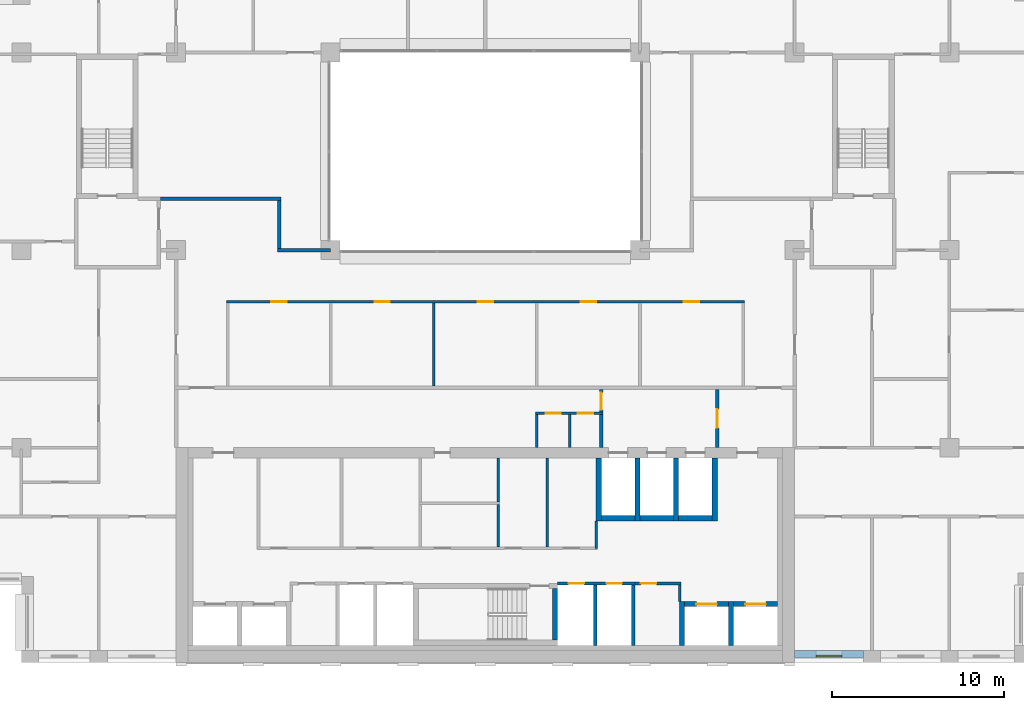
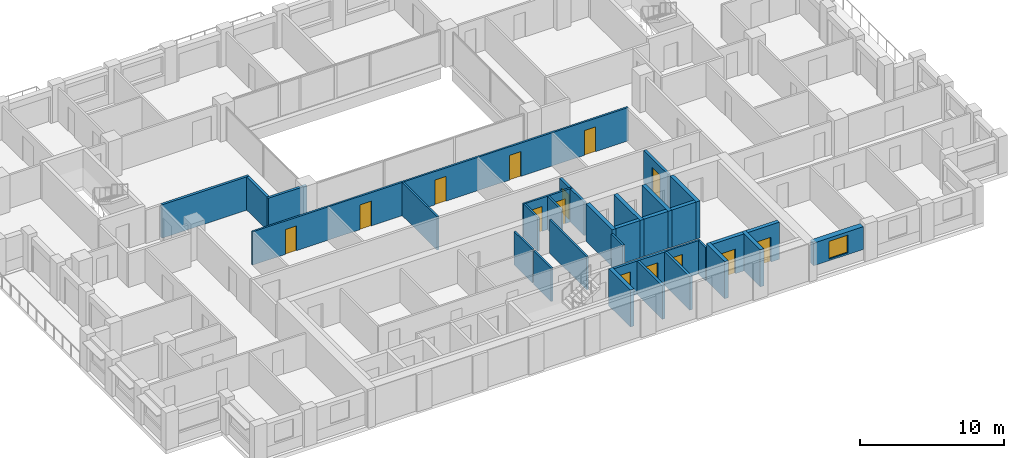
# One storey, part 10 of 15: 33 walls, 14 doors, 1 window, 15 openings.
"""IFC4 building model written with IfcOpenShell, lengths in metres."""

from ifc_helpers import new_model, si_unit, direction, frame, frame_2d, origin, place, context, subcontext, project, spatial, rectangle, extrude, material, layer, layer_set, type_object, element, fill, save


model = new_model("IFC4")

# Units and contexts
model_context = context("Model", 3, precision=1e-05, world=origin(), true_north=direction((0.0, 1.0)))
body_context = subcontext(model_context, "Body", "Model", "MODEL_VIEW")
ifc_project = project(units=[si_unit("LENGTHUNIT", "METRE"), si_unit("AREAUNIT", "SQUARE_METRE"), si_unit("VOLUMEUNIT", "CUBIC_METRE"), si_unit("PLANEANGLEUNIT", "RADIAN"), si_unit("MASSUNIT", "GRAM", prefix="KILO")], contexts=[model_context])

# Site, building, storey
site_placement = place(None, origin())
site = spatial("IfcSite", under=ifc_project, at=site_placement, CompositionType="ELEMENT")
building_placement = place(site_placement, origin())
building = spatial("IfcBuilding", under=site, at=building_placement, Name="Brigalow Station Residences", CompositionType="ELEMENT")
storey_placement = place(building_placement, frame((0.0, 0.0, 144.449951171875)))
storey = spatial("IfcBuildingStorey", under=building, at=storey_placement, Name="L41", CompositionType="ELEMENT", Elevation=144.449951171875)

# Wall, opening, window
ifc_material_1 = material(Name="Clay brick masonry", Category="masonry")
ifc_layer_1 = layer(ifc_material_1, 0.449951171875)
ifc_layer_set_1 = layer_set([ifc_layer_1], Name="BRICK INFILL WALL 450")
wall_type_1 = type_object("IfcWallType", Name="BRICK INFILL WALL 450", PredefinedType="SOLIDWALL", material=ifc_layer_set_1)
wall_1_placement = place(storey_placement, frame((54.0, 0.47509765625, 0.900146484375), z_axis=(0.0, 0.0, 1.0), x_axis=(1.0, 0.0, 0.0)))
wall_1 = element("IfcWall", 1, at=wall_1_placement, inside=storey, type_object=wall_type_1, Name="L41/ewall/W-L41-4", PredefinedType="SOLIDWALL", context=body_context, shape_type="SweptSolid", body=[
    extrude(rectangle(XDim=4.0, YDim=0.449951171875, at=frame_2d((2.0, 0.0))), origin(), (0.0, 0.0, 1.0), 1.929931640625),
])
opening_1_placement = place(wall_1_placement, frame((1.25, 0.0, 0.14990234375)))
opening_1 = element("IfcOpeningElement", 2, at=opening_1_placement, cuts=wall_1, Name="Opening WT-1", PredefinedType="OPENING", context=body_context, shape_type="SweptSolid", body=[
    extrude(rectangle(XDim=1.5, YDim=1.5, at=frame_2d((0.75, 0.75))), frame((0.0, 0.23486328125, 0.0), z_axis=(0.0, -1.0, 0.0), x_axis=(1.0, 0.0, 0.0)), (0.0, 0.0, 1.0), 0.469970703125),
])
ifc_material_2 = material(Name="Anodised aluminium frame with double glazing", Category="aluminium")
window_type = type_object("IfcWindowType", Name="WINDOW 1500x1500", PartitioningType="SINGLE_PANEL", PredefinedType="WINDOW", material=ifc_material_2)
window_placement = place(opening_1_placement, origin())
window = element("IfcWindow", 3, at=window_placement, inside=storey, type_object=window_type, Name="L41/window/W-L41-4", OverallHeight=1.5, OverallWidth=1.5, PartitioningType="SINGLE_PANEL", PredefinedType="WINDOW", context=body_context, shape_type="SweptSolid", body=[
    extrude(rectangle(XDim=1.5, YDim=1.5, at=frame_2d((0.75, 0.75))), frame((0.0, -0.06494140625, 0.0), z_axis=(0.0, -1.0, 0.0), x_axis=(1.0, 0.0, 0.0)), (0.0, 0.0, 1.0), 0.06005859375),
])
fill(opening_1, window)

# Walls
ifc_material_3 = material(Name="Concrete C65", Category="concrete")
ifc_layer_2 = layer(ifc_material_3, 0.300048828125)
ifc_layer_set_2 = layer_set([ifc_layer_2], Name="CORE SHEAR WALL 300 C65")
wall_type_2 = type_object("IfcWallType", Name="CORE SHEAR WALL 300 C65", PredefinedType="SHEAR", material=ifc_layer_set_2)
wall_2_placement = place(storey_placement, frame((42.75, 8.39990234375, 0.0), z_axis=(0.0, 0.0, 1.0), x_axis=(1.0, 0.0, 0.0)))
element("IfcWall", 4, at=wall_2_placement, inside=storey, type_object=wall_type_2, Name="CORE WALL SH-FF1-S L41", PredefinedType="SHEAR", context=body_context, shape_type="SweptSolid", body=[
    extrude(rectangle(XDim=1.949951171875, YDim=0.300048828125, at=frame_2d((0.97509765625, 0.0))), origin(), (0.0, 0.0, 1.0), 3.150146484375),
])
wall_3_placement = place(storey_placement, frame((42.60009765625, 8.25, 0.0), z_axis=(0.0, 0.0, 1.0), x_axis=(0.0, 1.0, 0.0)))
element("IfcWall", 5, at=wall_3_placement, inside=storey, type_object=wall_type_2, Name="CORE WALL SH-FF1-W L41", PredefinedType="SHEAR", context=body_context, shape_type="SweptSolid", body=[
    extrude(rectangle(XDim=3.64990234375, YDim=0.300048828125, at=frame_2d((1.824951171875, 0.0))), origin(), (0.0, 0.0, 1.0), 3.150146484375),
])
wall_4_placement = place(storey_placement, frame((45.0, 8.39990234375, 0.0), z_axis=(0.0, 0.0, 1.0), x_axis=(1.0, 0.0, 0.0)))
element("IfcWall", 6, at=wall_4_placement, inside=storey, type_object=wall_type_2, Name="CORE WALL SH-FF2-S L41", PredefinedType="SHEAR", context=body_context, shape_type="SweptSolid", body=[
    extrude(rectangle(XDim=1.949951171875, YDim=0.300048828125, at=frame_2d((0.97509765625, 0.0))), origin(), (0.0, 0.0, 1.0), 3.150146484375),
])
wall_5_placement = place(storey_placement, frame((44.85009765625, 8.25, 0.0), z_axis=(0.0, 0.0, 1.0), x_axis=(0.0, 1.0, 0.0)))
element("IfcWall", 7, at=wall_5_placement, inside=storey, type_object=wall_type_2, Name="CORE WALL SH-FF2-W L41", PredefinedType="SHEAR", context=body_context, shape_type="SweptSolid", body=[
    extrude(rectangle(XDim=3.64990234375, YDim=0.300048828125, at=frame_2d((1.824951171875, 0.0))), origin(), (0.0, 0.0, 1.0), 3.150146484375),
])
wall_6_placement = place(storey_placement, frame((47.25, 8.39990234375, 0.0), z_axis=(0.0, 0.0, 1.0), x_axis=(1.0, 0.0, 0.0)))
element("IfcWall", 8, at=wall_6_placement, inside=storey, type_object=wall_type_2, Name="CORE WALL SH-SL1-S L41", PredefinedType="SHEAR", context=body_context, shape_type="SweptSolid", body=[
    extrude(rectangle(XDim=1.949951171875, YDim=0.300048828125, at=frame_2d((0.97509765625, 0.0))), origin(), (0.0, 0.0, 1.0), 3.150146484375),
])
for number, where, z_axis, x_axis, name in (
    (9, (47.10009765625, 8.25, 0.0), (0.0, 0.0, 1.0), (0.0, 1.0, 0.0), "CORE WALL SH-SL1-W L41"),
    (10, (49.35009765625, 8.25, 0.0), (0.0, 0.0, 1.0), (0.0, 1.0, 0.0), "CORE WALL SH-SL1-E L41"),
):
    element("IfcWall", number, at=place(storey_placement, frame(where, z_axis=z_axis, x_axis=x_axis)), inside=storey, type_object=wall_type_2, Name=name, PredefinedType="SHEAR", context=body_context, shape_type="SweptSolid", body=[
        extrude(rectangle(XDim=3.64990234375, YDim=0.300048828125, at=frame_2d((1.824951171875, 0.0))), origin(), (0.0, 0.0, 1.0), 3.150146484375),
    ])

# Wall, opening, door
wall_7_placement = place(storey_placement, frame((47.60009765625, 3.39990234375, 0.0), z_axis=(0.0, 0.0, 1.0), x_axis=(1.0, 0.0, 0.0)))
wall_7 = element("IfcWall", 11, at=wall_7_placement, inside=storey, type_object=wall_type_2, Name="CORE WALL SH-C3-N L41", PredefinedType="SHEAR", context=body_context, shape_type="SweptSolid", body=[
    extrude(rectangle(XDim=2.5498046875, YDim=0.300048828125, at=frame_2d((1.27490234375, 0.0))), origin(), (0.0, 0.0, 1.0), 3.150146484375),
])
opening_2_placement = place(wall_7_placement, frame((0.675048828125, 0.0, 0.0)))
opening_2 = element("IfcOpeningElement", 12, at=opening_2_placement, cuts=wall_7, Name="Opening LD-LB3", PredefinedType="OPENING", context=body_context, shape_type="SweptSolid", body=[
    extrude(rectangle(XDim=1.199951171875, YDim=2.10009765625, at=frame_2d((0.60009765625, 1.050048828125))), frame((0.0, 0.16015625, 0.0), z_axis=(0.0, -1.0, 0.0), x_axis=(1.0, 0.0, 0.0)), (0.0, 0.0, 1.0), 0.320068359375),
])
ifc_material_4 = material(Name="Stainless steel sliding door leaves", Category="steel")
door_type_1 = type_object("IfcDoorType", Name="LIFT LANDING DOOR 1200 x 2100", OperationType="DOUBLE_DOOR_SLIDING", PredefinedType="DOOR", material=ifc_material_4)
door_1_placement = place(opening_2_placement, origin())
door_1 = element("IfcDoor", 13, at=door_1_placement, inside=storey, type_object=door_type_1, Name="LANDING DOOR LB3", OperationType="DOUBLE_DOOR_SLIDING", OverallHeight=2.10009765625, OverallWidth=1.199951171875, PredefinedType="DOOR", context=body_context, shape_type="SweptSolid", body=[
    extrude(rectangle(XDim=1.199951171875, YDim=2.10009765625, at=frame_2d((0.60009765625, 1.050048828125))), frame((0.0, 0.02490234375, 0.0), z_axis=(0.0, -1.0, 0.0), x_axis=(1.0, 0.0, 0.0)), (0.0, 0.0, 1.0), 0.050048828125),
])
fill(opening_2, door_1)

# Wall
wall_8_placement = place(storey_placement, frame((47.449951171875, 1.0, 0.0), z_axis=(0.0, 0.0, 1.0), x_axis=(0.0, 1.0, 0.0)))
element("IfcWall", 14, at=wall_8_placement, inside=storey, type_object=wall_type_2, Name="CORE WALL SH-C3-W L41", PredefinedType="SHEAR", context=body_context, shape_type="SweptSolid", body=[
    extrude(rectangle(XDim=2.550048828125, YDim=0.300048828125, at=frame_2d((1.27490234375, 0.0))), origin(), (0.0, 0.0, 1.0), 3.150146484375),
])

# Wall, opening, door
wall_9_placement = place(storey_placement, frame((50.449951171875, 3.39990234375, 0.0), z_axis=(0.0, 0.0, 1.0), x_axis=(1.0, 0.0, 0.0)))
wall_9 = element("IfcWall", 15, at=wall_9_placement, inside=storey, type_object=wall_type_2, Name="CORE WALL SH-C4-N L41", PredefinedType="SHEAR", context=body_context, shape_type="SweptSolid", body=[
    extrude(rectangle(XDim=2.550048828125, YDim=0.300048828125, at=frame_2d((1.27490234375, 0.0))), origin(), (0.0, 0.0, 1.0), 3.150146484375),
])
opening_3_placement = place(wall_9_placement, frame((0.675048828125, 0.0, 0.0)))
opening_3 = element("IfcOpeningElement", 16, at=opening_3_placement, cuts=wall_9, Name="Opening LD-LB4", PredefinedType="OPENING", context=body_context, shape_type="SweptSolid", body=[
    extrude(rectangle(XDim=1.199951171875, YDim=2.10009765625, at=frame_2d((0.60009765625, 1.050048828125))), frame((0.0, 0.16015625, 0.0), z_axis=(0.0, -1.0, 0.0), x_axis=(1.0, 0.0, 0.0)), (0.0, 0.0, 1.0), 0.320068359375),
])
door_2_placement = place(opening_3_placement, origin())
door_2 = element("IfcDoor", 17, at=door_2_placement, inside=storey, type_object=door_type_1, Name="LANDING DOOR LB4", OperationType="DOUBLE_DOOR_SLIDING", OverallHeight=2.10009765625, OverallWidth=1.199951171875, PredefinedType="DOOR", context=body_context, shape_type="SweptSolid", body=[
    extrude(rectangle(XDim=1.199951171875, YDim=2.10009765625, at=frame_2d((0.60009765625, 1.050048828125))), frame((0.0, 0.02490234375, 0.0), z_axis=(0.0, -1.0, 0.0), x_axis=(1.0, 0.0, 0.0)), (0.0, 0.0, 1.0), 0.050048828125),
])
fill(opening_3, door_2)

# Walls
wall_10_placement = place(storey_placement, frame((50.300048828125, 1.0, 0.0), z_axis=(0.0, 0.0, 1.0), x_axis=(0.0, 1.0, 0.0)))
element("IfcWall", 18, at=wall_10_placement, inside=storey, type_object=wall_type_2, Name="CORE WALL SH-C4-W L41", PredefinedType="SHEAR", context=body_context, shape_type="SweptSolid", body=[
    extrude(rectangle(XDim=2.550048828125, YDim=0.300048828125, at=frame_2d((1.27490234375, 0.0))), origin(), (0.0, 0.0, 1.0), 3.150146484375),
])
wall_11_placement = place(storey_placement, frame((40.050048828125, 1.300048828125, 0.0), z_axis=(0.0, 0.0, 1.0), x_axis=(0.0, 1.0, 0.0)))
element("IfcWall", 19, at=wall_11_placement, inside=storey, type_object=wall_type_2, Name="CORE WALL ST-S2-E L41", PredefinedType="SHEAR", context=body_context, shape_type="SweptSolid", body=[
    extrude(rectangle(XDim=3.0, YDim=0.300048828125, at=frame_2d((1.5, 0.0))), origin(), (0.0, 0.0, 1.0), 3.150146484375),
])

# Wall, openings, doors
ifc_material_5 = material(Name="Concrete blockwork", Category="masonry")
ifc_layer_3 = layer(ifc_material_5, 0.199951171875)
ifc_layer_set_3 = layer_set([ifc_layer_3], Name="FIRE RATED CORE PARTITION 200")
wall_type_3 = type_object("IfcWallType", Name="FIRE RATED CORE PARTITION 200", PredefinedType="PARTITIONING", material=ifc_layer_set_3)
wall_12_placement = place(storey_placement, frame((40.199951171875, 4.60009765625, 0.0), z_axis=(0.0, 0.0, 1.0), x_axis=(1.0, 0.0, 0.0)))
wall_12 = element("IfcWall", 20, at=wall_12_placement, inside=storey, type_object=wall_type_3, Name="PW-5018", PredefinedType="PARTITIONING", context=body_context, shape_type="SweptSolid", body=[
    extrude(rectangle(XDim=4.5, YDim=0.199951171875, at=frame_2d((2.25, 0.0))), origin(), (0.0, 0.0, 1.0), 2.830078125),
])
opening_4_placement = place(wall_12_placement, frame((0.64990234375, 0.0, 0.0)))
opening_4 = element("IfcOpeningElement", 21, at=opening_4_placement, cuts=wall_12, Name="Opening D-5009", PredefinedType="OPENING", context=body_context, shape_type="SweptSolid", body=[
    extrude(rectangle(XDim=0.89990234375, YDim=2.10009765625, at=frame_2d((0.449951171875, 1.050048828125))), frame((0.0, 0.10986328125, 0.0), z_axis=(0.0, -1.0, 0.0), x_axis=(1.0, 0.0, 0.0)), (0.0, 0.0, 1.0), 0.219970703125),
])
opening_5_placement = place(wall_12_placement, frame((2.85009765625, 0.0, 0.0)))
opening_5 = element("IfcOpeningElement", 22, at=opening_5_placement, cuts=wall_12, Name="Opening D-5010", PredefinedType="OPENING", context=body_context, shape_type="SweptSolid", body=[
    extrude(rectangle(XDim=0.89990234375, YDim=2.10009765625, at=frame_2d((0.449951171875, 1.050048828125))), frame((0.0, 0.10986328125, 0.0), z_axis=(0.0, -1.0, 0.0), x_axis=(1.0, 0.0, 0.0)), (0.0, 0.0, 1.0), 0.219970703125),
])
ifc_material_6 = material(Name="Steel fire door leaf in steel frame", Category="steel")
door_type_2 = type_object("IfcDoorType", Name="RISER ACCESS DOOR 900 x 2100 FD120", OperationType="SINGLE_SWING_LEFT", PredefinedType="DOOR", material=ifc_material_6)
door_3_placement = place(opening_4_placement, frame((0.89990234375, 0.0, 0.0), z_axis=(0.0, 0.0, 1.0), x_axis=(-1.0, 0.0, 0.0)))
door_3 = element("IfcDoor", 23, at=door_3_placement, inside=storey, type_object=door_type_2, Name="D-5009", OperationType="SINGLE_SWING_LEFT", OverallHeight=2.10009765625, OverallWidth=0.89990234375, PredefinedType="DOOR", context=body_context, shape_type="SweptSolid", body=[
    extrude(rectangle(XDim=0.89990234375, YDim=2.10009765625, at=frame_2d((0.449951171875, 1.050048828125))), frame((0.0, 0.02490234375, 0.0), z_axis=(0.0, -1.0, 0.0), x_axis=(1.0, 0.0, 0.0)), (0.0, 0.0, 1.0), 0.050048828125),
])
fill(opening_4, door_3)
door_4_placement = place(opening_5_placement, frame((0.89990234375, 0.0, 0.0), z_axis=(0.0, 0.0, 1.0), x_axis=(-1.0, 0.0, 0.0)))
door_4 = element("IfcDoor", 24, at=door_4_placement, inside=storey, type_object=door_type_2, Name="D-5010", OperationType="SINGLE_SWING_LEFT", OverallHeight=2.10009765625, OverallWidth=0.89990234375, PredefinedType="DOOR", context=body_context, shape_type="SweptSolid", body=[
    extrude(rectangle(XDim=0.89990234375, YDim=2.10009765625, at=frame_2d((0.449951171875, 1.050048828125))), frame((0.0, 0.02490234375, 0.0), z_axis=(0.0, -1.0, 0.0), x_axis=(1.0, 0.0, 0.0)), (0.0, 0.0, 1.0), 0.050048828125),
])
fill(opening_5, door_4)

# Walls
for number, where, z_axis, x_axis, name in (
    (25, (42.39990234375, 1.0, 0.0), (0.0, 0.0, 1.0), (0.0, 1.0, 0.0), "PW-5007"),
    (26, (44.60009765625, 1.0, 0.0), (0.0, 0.0, 1.0), (0.0, 1.0, 0.0), "PW-5008"),
):
    element("IfcWall", number, at=place(storey_placement, frame(where, z_axis=z_axis, x_axis=x_axis)), inside=storey, type_object=wall_type_3, Name=name, PredefinedType="PARTITIONING", context=body_context, shape_type="SweptSolid", body=[
        extrude(rectangle(XDim=3.5, YDim=0.199951171875, at=frame_2d((1.75, 0.0))), origin(), (0.0, 0.0, 1.0), 2.830078125),
    ])
wall_13_placement = place(storey_placement, frame((42.75, 12.5, 0.0), z_axis=(0.0, 0.0, 1.0), x_axis=(0.0, 1.0, 0.0)))
element("IfcWall", 27, at=wall_13_placement, inside=storey, type_object=wall_type_3, Name="PW-5046", PredefinedType="PARTITIONING", context=body_context, shape_type="SweptSolid", body=[
    extrude(rectangle(XDim=1.925048828125, YDim=0.199951171875, at=frame_2d((0.96240234375, 0.0))), origin(), (0.0, 0.0, 1.0), 2.830078125),
])

# Wall, opening, door
wall_14_placement = place(storey_placement, frame((49.5, 12.5, 0.0), z_axis=(0.0, 0.0, 1.0), x_axis=(0.0, 1.0, 0.0)))
wall_14 = element("IfcWall", 28, at=wall_14_placement, inside=storey, type_object=wall_type_3, Name="PW-5015", PredefinedType="PARTITIONING", context=body_context, shape_type="SweptSolid", body=[
    extrude(rectangle(XDim=3.39990234375, YDim=0.199951171875, at=frame_2d((1.699951171875, 0.0))), origin(), (0.0, 0.0, 1.0), 2.830078125),
])
opening_6_placement = place(wall_14_placement, frame((1.14990234375, 0.0, 0.0)))
opening_6 = element("IfcOpeningElement", 29, at=opening_6_placement, cuts=wall_14, Name="Opening D-5014", PredefinedType="OPENING", context=body_context, shape_type="SweptSolid", body=[
    extrude(rectangle(XDim=1.10009765625, YDim=2.10009765625, at=frame_2d((0.550048828125, 1.050048828125))), frame((0.0, 0.10986328125, 0.0), z_axis=(0.0, -1.0, 0.0), x_axis=(1.0, 0.0, 0.0)), (0.0, 0.0, 1.0), 0.219970703125),
])
ifc_material_7 = material(Name="Steel fire door leaf in steel frame", Category="steel")
door_type_3 = type_object("IfcDoorType", Name="LOBBY DOOR 1100 x 2100 FD60S", OperationType="SINGLE_SWING_LEFT", PredefinedType="DOOR", material=ifc_material_7)
door_5_placement = place(opening_6_placement, origin())
door_5 = element("IfcDoor", 30, at=door_5_placement, inside=storey, type_object=door_type_3, Name="D-5014", OperationType="SINGLE_SWING_LEFT", OverallHeight=2.10009765625, OverallWidth=1.10009765625, PredefinedType="DOOR", context=body_context, shape_type="SweptSolid", body=[
    extrude(rectangle(XDim=1.10009765625, YDim=2.10009765625, at=frame_2d((0.550048828125, 1.050048828125))), frame((0.0, 0.02490234375, 0.0), z_axis=(0.0, -1.0, 0.0), x_axis=(1.0, 0.0, 0.0)), (0.0, 0.0, 1.0), 0.050048828125),
])
fill(opening_6, door_5)

wall_15_placement = place(storey_placement, frame((42.75, 14.574951171875, 0.0), z_axis=(0.0, 0.0, 1.0), x_axis=(0.0, 1.0, 0.0)))
wall_15 = element("IfcWall", 31, at=wall_15_placement, inside=storey, type_object=wall_type_3, Name="PW-5047", PredefinedType="PARTITIONING", context=body_context, shape_type="SweptSolid", body=[
    extrude(rectangle(XDim=1.324951171875, YDim=0.199951171875, at=frame_2d((0.66259765625, 0.0))), origin(), (0.0, 0.0, 1.0), 2.830078125),
])
opening_7_placement = place(wall_15_placement, frame((0.125, 0.0, 0.0)))
opening_7 = element("IfcOpeningElement", 32, at=opening_7_placement, cuts=wall_15, Name="Opening D-5013", PredefinedType="OPENING", context=body_context, shape_type="SweptSolid", body=[
    extrude(rectangle(XDim=1.0, YDim=2.10009765625, at=frame_2d((0.5, 1.050048828125))), frame((0.0, 0.10986328125, 0.0), z_axis=(0.0, -1.0, 0.0), x_axis=(1.0, 0.0, 0.0)), (0.0, 0.0, 1.0), 0.219970703125),
])
ifc_material_8 = material(Name="Steel fire door leaf in steel frame", Category="steel")
door_type_4 = type_object("IfcDoorType", Name="LOBBY DOOR 1000 x 2100 FD60S", OperationType="SINGLE_SWING_LEFT", PredefinedType="DOOR", material=ifc_material_8)
door_6_placement = place(opening_7_placement, origin())
door_6 = element("IfcDoor", 33, at=door_6_placement, inside=storey, type_object=door_type_4, Name="D-5013", OperationType="SINGLE_SWING_LEFT", OverallHeight=2.10009765625, OverallWidth=1.0, PredefinedType="DOOR", context=body_context, shape_type="SweptSolid", body=[
    extrude(rectangle(XDim=1.0, YDim=2.10009765625, at=frame_2d((0.5, 1.050048828125))), frame((0.0, 0.02490234375, 0.0), z_axis=(0.0, -1.0, 0.0), x_axis=(1.0, 0.0, 0.0)), (0.0, 0.0, 1.0), 0.050048828125),
])
fill(opening_7, door_6)

# Wall, openings, doors
ifc_material_9 = material(Name="Plasterboard on steel stud partition", Category="steel")
ifc_layer_4 = layer(ifc_material_9, 0.14990234375)
ifc_layer_set_4 = layer_set([ifc_layer_4], Name="FLAT PARTITION 150")
wall_type_4 = type_object("IfcWallType", Name="FLAT PARTITION 150", PredefinedType="PARTITIONING", material=ifc_layer_set_4)
wall_16_placement = place(storey_placement, frame((20.925048828125, 21.0, 0.0), z_axis=(0.0, 0.0, 1.0), x_axis=(1.0, 0.0, 0.0)))
wall_16 = element("IfcWall", 34, at=wall_16_placement, inside=storey, type_object=wall_type_4, Name="PW-3A06", PredefinedType="PARTITIONING", context=body_context, shape_type="SweptSolid", body=[
    extrude(rectangle(XDim=30.14990234375, YDim=0.14990234375, at=frame_2d((15.074951171875, 0.0))), origin(), (0.0, 0.0, 1.0), 2.830078125),
])
opening_8_placement = place(wall_16_placement, frame((2.625, 0.0, 0.0)))
opening_8 = element("IfcOpeningElement", 35, at=opening_8_placement, cuts=wall_16, Name="Opening D-3A37", PredefinedType="OPENING", context=body_context, shape_type="SweptSolid", body=[
    extrude(rectangle(XDim=0.89990234375, YDim=2.10009765625, at=frame_2d((0.449951171875, 1.050048828125))), frame((0.0, 0.0849609375, 0.0), z_axis=(0.0, -1.0, 0.0), x_axis=(1.0, 0.0, 0.0)), (0.0, 0.0, 1.0), 0.169921875),
])
opening_9_placement = place(wall_16_placement, frame((8.625, 0.0, 0.0)))
opening_9 = element("IfcOpeningElement", 36, at=opening_9_placement, cuts=wall_16, Name="Opening D-3A38", PredefinedType="OPENING", context=body_context, shape_type="SweptSolid", body=[
    extrude(rectangle(XDim=0.89990234375, YDim=2.10009765625, at=frame_2d((0.449951171875, 1.050048828125))), frame((0.0, 0.0849609375, 0.0), z_axis=(0.0, -1.0, 0.0), x_axis=(1.0, 0.0, 0.0)), (0.0, 0.0, 1.0), 0.169921875),
])
opening_10_placement = place(wall_16_placement, frame((14.625, 0.0, 0.0)))
opening_10 = element("IfcOpeningElement", 37, at=opening_10_placement, cuts=wall_16, Name="Opening D-3A39", PredefinedType="OPENING", context=body_context, shape_type="SweptSolid", body=[
    extrude(rectangle(XDim=0.89990234375, YDim=2.10009765625, at=frame_2d((0.449951171875, 1.050048828125))), frame((0.0, 0.0849609375, 0.0), z_axis=(0.0, -1.0, 0.0), x_axis=(1.0, 0.0, 0.0)), (0.0, 0.0, 1.0), 0.169921875),
])
opening_11_placement = place(wall_16_placement, frame((20.625, 0.0, 0.0)))
opening_11 = element("IfcOpeningElement", 38, at=opening_11_placement, cuts=wall_16, Name="Opening D-3A40", PredefinedType="OPENING", context=body_context, shape_type="SweptSolid", body=[
    extrude(rectangle(XDim=0.89990234375, YDim=2.10009765625, at=frame_2d((0.449951171875, 1.050048828125))), frame((0.0, 0.0849609375, 0.0), z_axis=(0.0, -1.0, 0.0), x_axis=(1.0, 0.0, 0.0)), (0.0, 0.0, 1.0), 0.169921875),
])
opening_12_placement = place(wall_16_placement, frame((26.625, 0.0, 0.0)))
opening_12 = element("IfcOpeningElement", 39, at=opening_12_placement, cuts=wall_16, Name="Opening D-3A41", PredefinedType="OPENING", context=body_context, shape_type="SweptSolid", body=[
    extrude(rectangle(XDim=0.89990234375, YDim=2.10009765625, at=frame_2d((0.449951171875, 1.050048828125))), frame((0.0, 0.0849609375, 0.0), z_axis=(0.0, -1.0, 0.0), x_axis=(1.0, 0.0, 0.0)), (0.0, 0.0, 1.0), 0.169921875),
])
ifc_material_10 = material(Name="Solid-core timber door leaf", Category="wood")
door_type_5 = type_object("IfcDoorType", Name="INTERNAL DOOR 900 x 2100", OperationType="SINGLE_SWING_LEFT", PredefinedType="DOOR", material=ifc_material_10)
door_7_placement = place(opening_8_placement, frame((0.89990234375, 0.0, 0.0), z_axis=(0.0, 0.0, 1.0), x_axis=(-1.0, 0.0, 0.0)))
door_7 = element("IfcDoor", 40, at=door_7_placement, inside=storey, type_object=door_type_5, Name="D-3A37", OperationType="SINGLE_SWING_RIGHT", OverallHeight=2.10009765625, OverallWidth=0.89990234375, PredefinedType="DOOR", context=body_context, shape_type="SweptSolid", body=[
    extrude(rectangle(XDim=0.89990234375, YDim=2.10009765625, at=frame_2d((0.449951171875, 1.050048828125))), frame((0.0, 0.02490234375, 0.0), z_axis=(0.0, -1.0, 0.0), x_axis=(1.0, 0.0, 0.0)), (0.0, 0.0, 1.0), 0.050048828125),
])
fill(opening_8, door_7)
door_8_placement = place(opening_9_placement, frame((0.89990234375, 0.0, 0.0), z_axis=(0.0, 0.0, 1.0), x_axis=(-1.0, 0.0, 0.0)))
door_8 = element("IfcDoor", 41, at=door_8_placement, inside=storey, type_object=door_type_5, Name="D-3A38", OperationType="SINGLE_SWING_LEFT", OverallHeight=2.10009765625, OverallWidth=0.89990234375, PredefinedType="DOOR", context=body_context, shape_type="SweptSolid", body=[
    extrude(rectangle(XDim=0.89990234375, YDim=2.10009765625, at=frame_2d((0.449951171875, 1.050048828125))), frame((0.0, 0.02490234375, 0.0), z_axis=(0.0, -1.0, 0.0), x_axis=(1.0, 0.0, 0.0)), (0.0, 0.0, 1.0), 0.050048828125),
])
fill(opening_9, door_8)
door_9_placement = place(opening_10_placement, frame((0.89990234375, 0.0, 0.0), z_axis=(0.0, 0.0, 1.0), x_axis=(-1.0, 0.0, 0.0)))
door_9 = element("IfcDoor", 42, at=door_9_placement, inside=storey, type_object=door_type_5, Name="D-3A39", OperationType="SINGLE_SWING_LEFT", OverallHeight=2.10009765625, OverallWidth=0.89990234375, PredefinedType="DOOR", context=body_context, shape_type="SweptSolid", body=[
    extrude(rectangle(XDim=0.89990234375, YDim=2.10009765625, at=frame_2d((0.449951171875, 1.050048828125))), frame((0.0, 0.02490234375, 0.0), z_axis=(0.0, -1.0, 0.0), x_axis=(1.0, 0.0, 0.0)), (0.0, 0.0, 1.0), 0.050048828125),
])
fill(opening_10, door_9)
door_10_placement = place(opening_11_placement, frame((0.89990234375, 0.0, 0.0), z_axis=(0.0, 0.0, 1.0), x_axis=(-1.0, 0.0, 0.0)))
door_10 = element("IfcDoor", 43, at=door_10_placement, inside=storey, type_object=door_type_5, Name="D-3A40", OperationType="SINGLE_SWING_LEFT", OverallHeight=2.10009765625, OverallWidth=0.89990234375, PredefinedType="DOOR", context=body_context, shape_type="SweptSolid", body=[
    extrude(rectangle(XDim=0.89990234375, YDim=2.10009765625, at=frame_2d((0.449951171875, 1.050048828125))), frame((0.0, 0.02490234375, 0.0), z_axis=(0.0, -1.0, 0.0), x_axis=(1.0, 0.0, 0.0)), (0.0, 0.0, 1.0), 0.050048828125),
])
fill(opening_11, door_10)
door_11_placement = place(opening_12_placement, frame((0.89990234375, 0.0, 0.0), z_axis=(0.0, 0.0, 1.0), x_axis=(-1.0, 0.0, 0.0)))
door_11 = element("IfcDoor", 44, at=door_11_placement, inside=storey, type_object=door_type_5, Name="D-3A41", OperationType="SINGLE_SWING_RIGHT", OverallHeight=2.10009765625, OverallWidth=0.89990234375, PredefinedType="DOOR", context=body_context, shape_type="SweptSolid", body=[
    extrude(rectangle(XDim=0.89990234375, YDim=2.10009765625, at=frame_2d((0.449951171875, 1.050048828125))), frame((0.0, 0.02490234375, 0.0), z_axis=(0.0, -1.0, 0.0), x_axis=(1.0, 0.0, 0.0)), (0.0, 0.0, 1.0), 0.050048828125),
])
fill(opening_12, door_11)

# Walls
wall_17_placement = place(storey_placement, frame((33.0, 16.10009765625, 0.0), z_axis=(0.0, 0.0, 1.0), x_axis=(0.0, 1.0, 0.0)))
element("IfcWall", 45, at=wall_17_placement, inside=storey, type_object=wall_type_4, Name="PW-3A54", PredefinedType="PARTITIONING", context=body_context, shape_type="SweptSolid", body=[
    extrude(rectangle(XDim=4.824951171875, YDim=0.14990234375, at=frame_2d((2.41259765625, 0.0))), origin(), (0.0, 0.0, 1.0), 2.830078125),
])
ifc_material_11 = material(Name="Plasterboard on steel stud partition", Category="steel")
ifc_layer_5 = layer(ifc_material_11, 0.199951171875)
ifc_layer_set_5 = layer_set([ifc_layer_5], Name="PARTY AND CORRIDOR WALL 200")
wall_type_5 = type_object("IfcWallType", Name="PARTY AND CORRIDOR WALL 200", PredefinedType="PARTITIONING", material=ifc_layer_set_5)
wall_18_placement = place(storey_placement, frame((23.89990234375, 24.0, 0.0), z_axis=(0.0, 0.0, 1.0), x_axis=(1.0, 0.0, 0.0)))
element("IfcWall", 46, at=wall_18_placement, inside=storey, type_object=wall_type_5, Name="PW-3A03", PredefinedType="PARTITIONING", context=body_context, shape_type="SweptSolid", body=[
    extrude(rectangle(XDim=3.10009765625, YDim=0.199951171875, at=frame_2d((1.550048828125, 0.0))), origin(), (0.0, 0.0, 1.0), 2.830078125),
])
wall_19_placement = place(storey_placement, frame((17.10009765625, 27.0, 0.0), z_axis=(0.0, 0.0, 1.0), x_axis=(1.0, 0.0, 0.0)))
element("IfcWall", 47, at=wall_19_placement, inside=storey, type_object=wall_type_5, Name="PW-3A07", PredefinedType="PARTITIONING", context=body_context, shape_type="SweptSolid", body=[
    extrude(rectangle(XDim=7.0, YDim=0.199951171875, at=frame_2d((3.5, 0.0))), origin(), (0.0, 0.0, 1.0), 2.830078125),
])
wall_20_placement = place(storey_placement, frame((24.0, 24.10009765625, 0.0), z_axis=(0.0, 0.0, 1.0), x_axis=(0.0, 1.0, 0.0)))
element("IfcWall", 48, at=wall_20_placement, inside=storey, type_object=wall_type_5, Name="PW-3A35", PredefinedType="PARTITIONING", context=body_context, shape_type="SweptSolid", body=[
    extrude(rectangle(XDim=2.7998046875, YDim=0.199951171875, at=frame_2d((1.39990234375, 0.0))), origin(), (0.0, 0.0, 1.0), 2.830078125),
])

# Wall, opening, door
ifc_material_12 = material(Name="Plasterboard on steel studs", Category="steel")
ifc_layer_6 = layer(ifc_material_12, 0.14990234375)
ifc_layer_set_6 = layer_set([ifc_layer_6], Name="SERVICE ROOM PARTITION 150")
wall_type_6 = type_object("IfcWallType", Name="SERVICE ROOM PARTITION 150", PredefinedType="PARTITIONING", material=ifc_layer_set_6)
wall_21_placement = place(storey_placement, frame((44.699951171875, 4.60009765625, 0.0), z_axis=(0.0, 0.0, 1.0), x_axis=(1.0, 0.0, 0.0)))
wall_21 = element("IfcWall", 49, at=wall_21_placement, inside=storey, type_object=wall_type_6, Name="PW-5156", PredefinedType="PARTITIONING", context=body_context, shape_type="SweptSolid", body=[
    extrude(rectangle(XDim=2.675048828125, YDim=0.14990234375, at=frame_2d((1.33740234375, 0.0))), origin(), (0.0, 0.0, 1.0), 2.830078125),
])
opening_13_placement = place(wall_21_placement, frame((0.35009765625, 0.0, 0.0)))
opening_13 = element("IfcOpeningElement", 50, at=opening_13_placement, cuts=wall_21, Name="Opening D-5026", PredefinedType="OPENING", context=body_context, shape_type="SweptSolid", body=[
    extrude(rectangle(XDim=0.89990234375, YDim=2.10009765625, at=frame_2d((0.449951171875, 1.050048828125))), frame((0.0, 0.0849609375, 0.0), z_axis=(0.0, -1.0, 0.0), x_axis=(1.0, 0.0, 0.0)), (0.0, 0.0, 1.0), 0.169921875),
])
ifc_material_13 = material(Name="Steel door leaf in steel frame", Category="steel")
door_type_6 = type_object("IfcDoorType", Name="SERVICE ROOM DOOR 900 x 2100 FD60", OperationType="SINGLE_SWING_LEFT", PredefinedType="DOOR", material=ifc_material_13)
door_12_placement = place(opening_13_placement, frame((0.89990234375, 0.0, 0.0), z_axis=(0.0, 0.0, 1.0), x_axis=(-1.0, 0.0, 0.0)))
door_12 = element("IfcDoor", 51, at=door_12_placement, inside=storey, type_object=door_type_6, Name="D-5026", OperationType="SINGLE_SWING_RIGHT", OverallHeight=2.10009765625, OverallWidth=0.89990234375, PredefinedType="DOOR", context=body_context, shape_type="SweptSolid", body=[
    extrude(rectangle(XDim=0.89990234375, YDim=2.10009765625, at=frame_2d((0.449951171875, 1.050048828125))), frame((0.0, 0.02490234375, 0.0), z_axis=(0.0, -1.0, 0.0), x_axis=(1.0, 0.0, 0.0)), (0.0, 0.0, 1.0), 0.050048828125),
])
fill(opening_13, door_12)

# Wall, openings, doors
wall_22_placement = place(storey_placement, frame((38.925048828125, 14.5, 0.0), z_axis=(0.0, 0.0, 1.0), x_axis=(1.0, 0.0, 0.0)))
wall_22 = element("IfcWall", 52, at=wall_22_placement, inside=storey, type_object=wall_type_6, Name="PW-5129", PredefinedType="PARTITIONING", context=body_context, shape_type="SweptSolid", body=[
    extrude(rectangle(XDim=3.925048828125, YDim=0.14990234375, at=frame_2d((1.96240234375, 0.0))), origin(), (0.0, 0.0, 1.0), 2.830078125),
])
opening_14_placement = place(wall_22_placement, frame((0.574951171875, 0.0, 0.0)))
opening_14 = element("IfcOpeningElement", 53, at=opening_14_placement, cuts=wall_22, Name="Opening D-5077", PredefinedType="OPENING", context=body_context, shape_type="SweptSolid", body=[
    extrude(rectangle(XDim=0.89990234375, YDim=2.10009765625, at=frame_2d((0.449951171875, 1.050048828125))), frame((0.0, 0.0849609375, 0.0), z_axis=(0.0, -1.0, 0.0), x_axis=(1.0, 0.0, 0.0)), (0.0, 0.0, 1.0), 0.169921875),
])
opening_15_placement = place(wall_22_placement, frame((2.449951171875, 0.0, 0.0)))
opening_15 = element("IfcOpeningElement", 54, at=opening_15_placement, cuts=wall_22, Name="Opening D-5078", PredefinedType="OPENING", context=body_context, shape_type="SweptSolid", body=[
    extrude(rectangle(XDim=0.89990234375, YDim=2.10009765625, at=frame_2d((0.449951171875, 1.050048828125))), frame((0.0, 0.0849609375, 0.0), z_axis=(0.0, -1.0, 0.0), x_axis=(1.0, 0.0, 0.0)), (0.0, 0.0, 1.0), 0.169921875),
])
door_13_placement = place(opening_14_placement, frame((0.89990234375, 0.0, 0.0), z_axis=(0.0, 0.0, 1.0), x_axis=(-1.0, 0.0, 0.0)))
door_13 = element("IfcDoor", 55, at=door_13_placement, inside=storey, type_object=door_type_6, Name="D-5077", OperationType="SINGLE_SWING_RIGHT", OverallHeight=2.10009765625, OverallWidth=0.89990234375, PredefinedType="DOOR", context=body_context, shape_type="SweptSolid", body=[
    extrude(rectangle(XDim=0.89990234375, YDim=2.10009765625, at=frame_2d((0.449951171875, 1.050048828125))), frame((0.0, 0.02490234375, 0.0), z_axis=(0.0, -1.0, 0.0), x_axis=(1.0, 0.0, 0.0)), (0.0, 0.0, 1.0), 0.050048828125),
])
fill(opening_14, door_13)
door_14_placement = place(opening_15_placement, frame((0.89990234375, 0.0, 0.0), z_axis=(0.0, 0.0, 1.0), x_axis=(-1.0, 0.0, 0.0)))
door_14 = element("IfcDoor", 56, at=door_14_placement, inside=storey, type_object=door_type_6, Name="D-5078", OperationType="SINGLE_SWING_LEFT", OverallHeight=2.10009765625, OverallWidth=0.89990234375, PredefinedType="DOOR", context=body_context, shape_type="SweptSolid", body=[
    extrude(rectangle(XDim=0.89990234375, YDim=2.10009765625, at=frame_2d((0.449951171875, 1.050048828125))), frame((0.0, 0.02490234375, 0.0), z_axis=(0.0, -1.0, 0.0), x_axis=(1.0, 0.0, 0.0)), (0.0, 0.0, 1.0), 0.050048828125),
])
fill(opening_15, door_14)

# Walls
wall_23_placement = place(storey_placement, frame((47.300048828125, 3.550048828125, 0.0), z_axis=(0.0, 0.0, 1.0), x_axis=(0.0, 1.0, 0.0)))
element("IfcWall", 57, at=wall_23_placement, inside=storey, type_object=wall_type_6, Name="PW-5158", PredefinedType="PARTITIONING", context=body_context, shape_type="SweptSolid", body=[
    extrude(rectangle(XDim=0.974853515625, YDim=0.14990234375, at=frame_2d((0.4873046875, 0.0))), origin(), (0.0, 0.0, 1.0), 2.830078125),
])
wall_24_placement = place(storey_placement, frame((42.449951171875, 6.64990234375, 0.0), z_axis=(0.0, 0.0, 1.0), x_axis=(0.0, 1.0, 0.0)))
element("IfcWall", 58, at=wall_24_placement, inside=storey, type_object=wall_type_6, Name="PW-5029", PredefinedType="PARTITIONING", context=body_context, shape_type="SweptSolid", body=[
    extrude(rectangle(XDim=1.60009765625, YDim=0.14990234375, at=frame_2d((0.800048828125, 0.0))), origin(), (0.0, 0.0, 1.0), 2.830078125),
])
wall_25_placement = place(storey_placement, frame((36.75, 6.72509765625, 0.0), z_axis=(0.0, 0.0, 1.0), x_axis=(0.0, 1.0, 0.0)))
element("IfcWall", 59, at=wall_25_placement, inside=storey, type_object=wall_type_6, Name="PW-5200", PredefinedType="PARTITIONING", context=body_context, shape_type="SweptSolid", body=[
    extrude(rectangle(XDim=2.469970703125, YDim=0.14990234375, at=frame_2d((1.23486328125, 0.0))), origin(), (0.0, 0.0, 1.0), 2.830078125),
])
wall_26_placement = place(storey_placement, frame((39.60009765625, 6.72509765625, 0.0), z_axis=(0.0, 0.0, 1.0), x_axis=(0.0, 1.0, 0.0)))
element("IfcWall", 60, at=wall_26_placement, inside=storey, type_object=wall_type_6, Name="PW-5201", PredefinedType="PARTITIONING", context=body_context, shape_type="SweptSolid", body=[
    extrude(rectangle(XDim=5.1748046875, YDim=0.14990234375, at=frame_2d((2.58740234375, 0.0))), origin(), (0.0, 0.0, 1.0), 2.830078125),
])
wall_27_placement = place(storey_placement, frame((36.75, 9.344970703125, 0.0), z_axis=(0.0, 0.0, 1.0), x_axis=(0.0, 1.0, 0.0)))
element("IfcWall", 61, at=wall_27_placement, inside=storey, type_object=wall_type_6, Name="PW-5203", PredefinedType="PARTITIONING", context=body_context, shape_type="SweptSolid", body=[
    extrude(rectangle(XDim=2.554931640625, YDim=0.14990234375, at=frame_2d((1.27734375, 0.0))), origin(), (0.0, 0.0, 1.0), 2.830078125),
])
for number, where, z_axis, x_axis, name in (
    (62, (39.0, 12.5, 0.0), (0.0, 0.0, 1.0), (0.0, 1.0, 0.0), "PW-5136"),
    (63, (40.89990234375, 12.5, 0.0), (0.0, 0.0, 1.0), (0.0, 1.0, 0.0), "PW-5137"),
):
    element("IfcWall", number, at=place(storey_placement, frame(where, z_axis=z_axis, x_axis=x_axis)), inside=storey, type_object=wall_type_6, Name=name, PredefinedType="PARTITIONING", context=body_context, shape_type="SweptSolid", body=[
        extrude(rectangle(XDim=1.925048828125, YDim=0.14990234375, at=frame_2d((0.96240234375, 0.0))), origin(), (0.0, 0.0, 1.0), 2.830078125),
    ])

save(model, "model.ifc")
